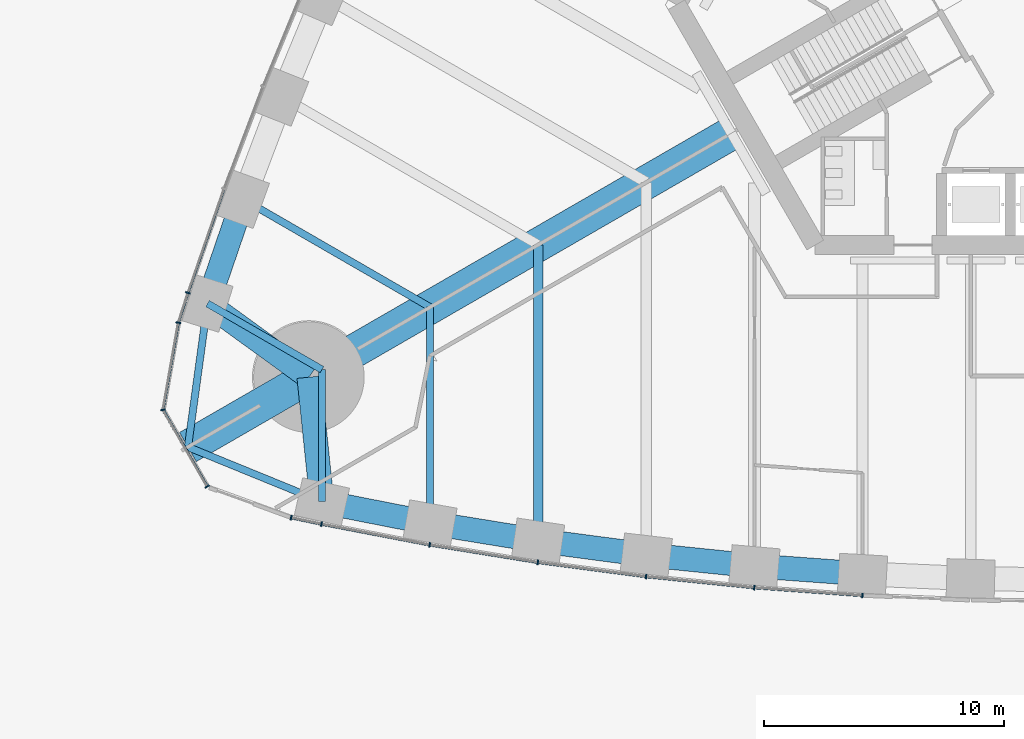
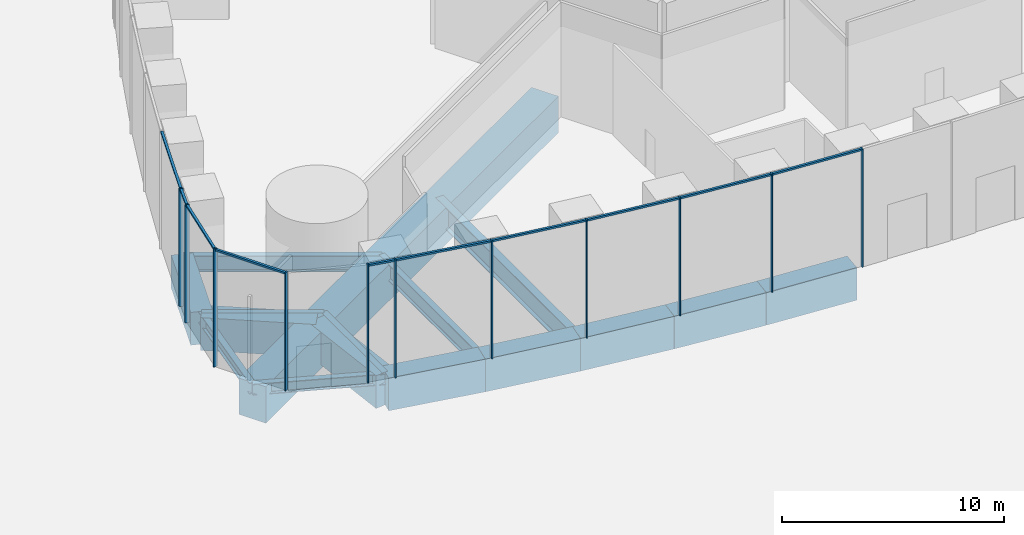
# One storey, part 2 of 43: 21 members, 17 beams, 3 elements without a shape of their own.
"""IFC4 building model written with IfcOpenShell, lengths in metres."""

from ifc_helpers import new_model, si_unit, direction, frame, origin, origin_2d, place, context, subcontext, project, spatial, rectangle, i_section, extrude, material, material_profile, profile_set, type_object, element, aggregate, save


model = new_model("IFC4")

# Units and contexts
model_context = context("Model", 3, precision=1e-05, world=origin(), true_north=direction((0.0, 1.0)))
body_context = subcontext(model_context, "Body", "Model", "MODEL_VIEW")
ifc_project = project(units=[si_unit("LENGTHUNIT", "METRE"), si_unit("AREAUNIT", "SQUARE_METRE"), si_unit("VOLUMEUNIT", "CUBIC_METRE"), si_unit("PLANEANGLEUNIT", "RADIAN"), si_unit("MASSUNIT", "GRAM", prefix="KILO")], contexts=[model_context])

# Site, building, storey
site_placement = place(None, origin())
site = spatial("IfcSite", under=ifc_project, at=site_placement, CompositionType="ELEMENT")
building_placement = place(site_placement, origin())
building = spatial("IfcBuilding", under=site, at=building_placement, Name="Trefoil Bronze Tower", CompositionType="ELEMENT")
storey_placement = place(building_placement, origin())
storey = spatial("IfcBuildingStorey", under=building, at=storey_placement, Name="L00", CompositionType="ELEMENT", Elevation=0.0)

# Curtain wall, members
ifc_material_1 = material(Name="Tinted solar-control glass", Category="glass")
curtain_wall_type_1 = type_object("IfcCurtainWallType", Name="Bronze podium storefront curtain wall", PredefinedType="USERDEFINED", material=ifc_material_1)
curtain_wall_1_placement = place(storey_placement, origin())
curtain_wall_1 = element("IfcCurtainWall", 1, at=curtain_wall_1_placement, inside=storey, type_object=curtain_wall_type_1, Name="CW-C L00 F1 run 1", ObjectType="CURTAIN WALL", PredefinedType="USERDEFINED")
ifc_material_2 = material(Name="Bronze-finish aluminium", Category="aluminium")
ifc_material_profile_1 = material_profile(ifc_material_2, rectangle(XDim=0.199951171875, YDim=0.06005859375, at=origin_2d()), Name="CW-C mullion")
ifc_profile_set_1 = profile_set([ifc_material_profile_1], Name="Bronze-finish aluminium")
member_type_1 = type_object("IfcMemberType", Name="Bronze podium storefront curtain wall mullion", PredefinedType="MULLION", material=ifc_profile_set_1)
member_1_placement = place(storey_placement, frame((-32.783203125, -24.346435546875, 0.0), z_axis=(0.0, 0.0, 1.0), x_axis=(0.207180582657, 0.978302717041, 0.0)))
member_1 = element("IfcMember", 2, at=member_1_placement, type_object=member_type_1, Name="CW-C L00 F1 run 1 mullion 1", PredefinedType="MULLION", context=body_context, shape_type="SweptSolid", body=[
    extrude(rectangle(XDim=0.199951171875, YDim=0.06005859375, at=origin_2d()), origin(), (0.0, 0.0, 1.0), 6.47998046875),
])
member_2_placement = place(storey_placement, frame((-31.519775390625, -24.614013671875, 0.0), z_axis=(0.0, 0.0, 1.0), x_axis=(0.197910006829, 0.98022019424, 0.0)))
member_2 = element("IfcMember", 3, at=member_2_placement, type_object=member_type_1, Name="CW-C L00 F1 run 1 mullion 2", PredefinedType="MULLION", context=body_context, shape_type="SweptSolid", body=[
    extrude(rectangle(XDim=0.199951171875, YDim=0.06005859375, at=origin_2d()), origin(), (0.0, 0.0, 1.0), 6.47998046875),
])
member_3_placement = place(storey_placement, frame((-27.017333984375, -25.478759765625, 0.0), z_axis=(0.0, 0.0, 1.0), x_axis=(0.174131146426, 0.984722470468, 0.0)))
member_3 = element("IfcMember", 4, at=member_3_placement, type_object=member_type_1, Name="CW-C L00 F1 run 1 mullion 3", PredefinedType="MULLION", context=body_context, shape_type="SweptSolid", body=[
    extrude(rectangle(XDim=0.199951171875, YDim=0.06005859375, at=origin_2d()), origin(), (0.0, 0.0, 1.0), 6.47998046875),
])
member_4_placement = place(storey_placement, frame((-22.514404296875, -26.206787109375, 0.0), z_axis=(0.0, 0.0, 1.0), x_axis=(0.145108990094, 0.989415676546, 0.0)))
member_4 = element("IfcMember", 5, at=member_4_placement, type_object=member_type_1, Name="CW-C L00 F1 run 1 mullion 4", PredefinedType="MULLION", context=body_context, shape_type="SweptSolid", body=[
    extrude(rectangle(XDim=0.199951171875, YDim=0.06005859375, at=origin_2d()), origin(), (0.0, 0.0, 1.0), 6.47998046875),
])
member_5_placement = place(storey_placement, frame((-18.01171875, -26.800048828125, 0.0), z_axis=(0.0, 0.0, 1.0), x_axis=(0.116086999973, 0.993239048989, 0.0)))
member_5 = element("IfcMember", 6, at=member_5_placement, type_object=member_type_1, Name="CW-C L00 F1 run 1 mullion 5", PredefinedType="MULLION", context=body_context, shape_type="SweptSolid", body=[
    extrude(rectangle(XDim=0.199951171875, YDim=0.06005859375, at=origin_2d()), origin(), (0.0, 0.0, 1.0), 6.47998046875),
])
member_6_placement = place(storey_placement, frame((-13.5087890625, -27.259765625, 0.0), z_axis=(0.0, 0.0, 1.0), x_axis=(0.087065139456, 0.996202620701, 0.0)))
member_6 = element("IfcMember", 7, at=member_6_placement, type_object=member_type_1, Name="CW-C L00 F1 run 1 mullion 6", PredefinedType="MULLION", context=body_context, shape_type="SweptSolid", body=[
    extrude(rectangle(XDim=0.199951171875, YDim=0.06005859375, at=origin_2d()), origin(), (0.0, 0.0, 1.0), 6.47998046875),
])
member_7_placement = place(storey_placement, frame((-9.00732421875, -27.587158203125, 0.0), z_axis=(0.0, 0.0, 1.0), x_axis=(0.072546564177, 0.99736502647, 0.0)))
member_7 = element("IfcMember", 8, at=member_7_placement, type_object=member_type_1, Name="CW-C L00 F1 run 1 mullion 7", PredefinedType="MULLION", context=body_context, shape_type="SweptSolid", body=[
    extrude(rectangle(XDim=0.199951171875, YDim=0.06005859375, at=origin_2d()), origin(), (0.0, 0.0, 1.0), 6.47998046875),
])

# Curtain wall, member
curtain_wall_2_placement = place(storey_placement, origin())
curtain_wall_2 = element("IfcCurtainWall", 9, at=curtain_wall_2_placement, inside=storey, type_object=curtain_wall_type_1, Name="CW-C L00 F3 run 5", ObjectType="CURTAIN WALL", PredefinedType="USERDEFINED")
member_8_placement = place(storey_placement, frame((-37.076416015625, -14.989990234375, 0.0), z_axis=(0.0, 0.0, 1.0), x_axis=(0.947850592929, -0.318715003543, 0.0)))
member_8 = element("IfcMember", 10, at=member_8_placement, type_object=member_type_1, Name="CW-C L00 F3 run 5 mullion 5", PredefinedType="MULLION", context=body_context, shape_type="SweptSolid", body=[
    extrude(rectangle(XDim=0.199951171875, YDim=0.06005859375, at=origin_2d()), origin(), (0.0, 0.0, 1.0), 6.47998046875),
])

# Member
ifc_material_3 = material(Name="Bronze-finish aluminium", Category="aluminium")
ifc_material_profile_2 = material_profile(ifc_material_3, rectangle(XDim=0.1201171875, YDim=0.10009765625, at=origin_2d()), Name="CW-C transom")
ifc_profile_set_2 = profile_set([ifc_material_profile_2], Name="Bronze-finish aluminium")
member_type_2 = type_object("IfcMemberType", Name="Bronze podium storefront curtain wall transom", PredefinedType="USERDEFINED", material=ifc_profile_set_2)
member_9_placement = place(storey_placement, frame((-32.753662109375, -24.352783203125, 6.429931640625), z_axis=(0.978304864549, -0.207170441905, 0.0), x_axis=(0.207170441905, 0.978304864549, 0.0)))
member_9 = element("IfcMember", 11, at=member_9_placement, type_object=member_type_2, Name="CW-C L00 F1 run 1 transom 1", ObjectType="TRANSOM", PredefinedType="USERDEFINED", context=body_context, shape_type="SweptSolid", body=[
    extrude(rectangle(XDim=0.1201171875, YDim=0.10009765625, at=origin_2d()), origin(), (0.0, 0.0, 1.0), 1.230224609375),
])

member_10_placement = place(storey_placement, frame((-31.489501953125, -24.619873046875, 6.429931640625), z_axis=(0.982049163512, -0.18862513206, 0.0), x_axis=(0.18862513206, 0.982049163512, 0.0)))
member_10 = element("IfcMember", 12, at=member_10_placement, type_object=member_type_2, Name="CW-C L00 F1 run 1 transom 2", ObjectType="TRANSOM", PredefinedType="USERDEFINED", context=body_context, shape_type="SweptSolid", body=[
    extrude(rectangle(XDim=0.1201171875, YDim=0.10009765625, at=origin_2d()), origin(), (0.0, 0.0, 1.0), 4.5224609375),
])

member_11_placement = place(storey_placement, frame((-26.986328125, -25.48388671875, 6.429931640625), z_axis=(0.987178845657, -0.159618065043, 0.0), x_axis=(0.159618065043, 0.987178845657, 0.0)))
member_11 = element("IfcMember", 13, at=member_11_placement, type_object=member_type_2, Name="CW-C L00 F1 run 1 transom 3", ObjectType="TRANSOM", PredefinedType="USERDEFINED", context=body_context, shape_type="SweptSolid", body=[
    extrude(rectangle(XDim=0.1201171875, YDim=0.10009765625, at=origin_2d()), origin(), (0.0, 0.0, 1.0), 4.498291015625),
])

member_12_placement = place(storey_placement, frame((-22.4833984375, -26.2109375, 6.429931640625), z_axis=(0.991435175775, -0.130599740566, 0.0), x_axis=(0.130599740566, 0.991435175775, 0.0)))
member_12 = element("IfcMember", 14, at=member_12_placement, type_object=member_type_2, Name="CW-C L00 F1 run 1 transom 4", ObjectType="TRANSOM", PredefinedType="USERDEFINED", context=body_context, shape_type="SweptSolid", body=[
    extrude(rectangle(XDim=0.1201171875, YDim=0.10009765625, at=origin_2d()), origin(), (0.0, 0.0, 1.0), 4.47900390625),
])

member_13_placement = place(storey_placement, frame((-17.980224609375, -26.80322265625, 6.429931640625), z_axis=(0.994833127844, -0.101523631455, 0.0), x_axis=(0.101523631455, 0.994833127844, 0.0)))
member_13 = element("IfcMember", 15, at=member_13_placement, type_object=member_type_2, Name="CW-C L00 F1 run 1 transom 5", ObjectType="TRANSOM", PredefinedType="USERDEFINED", context=body_context, shape_type="SweptSolid", body=[
    extrude(rectangle(XDim=0.1201171875, YDim=0.10009765625, at=origin_2d()), origin(), (0.0, 0.0, 1.0), 4.463134765625),
])

member_14_placement = place(storey_placement, frame((-13.477294921875, -27.261962890625, 6.429931640625), z_axis=(0.997364590548, -0.072552556953, 0.0), x_axis=(0.072552556953, 0.997364590548, 0.0)))
member_14 = element("IfcMember", 16, at=member_14_placement, type_object=member_type_2, Name="CW-C L00 F1 run 1 transom 6", ObjectType="TRANSOM", PredefinedType="USERDEFINED", context=body_context, shape_type="SweptSolid", body=[
    extrude(rectangle(XDim=0.1201171875, YDim=0.10009765625, at=origin_2d()), origin(), (0.0, 0.0, 1.0), 4.451904296875),
])

aggregate(curtain_wall_1, [member_1, member_2, member_3, member_4, member_5, member_6, member_7, member_9, member_10, member_11, member_12, member_13, member_14])

member_15_placement = place(storey_placement, frame((-35.58447265625, -10.68798828125, 6.429931640625), z_axis=(-0.327638958875, -0.944803002021, 0.0), x_axis=(0.944803002021, -0.327638958875, 0.0)))
member_15 = element("IfcMember", 17, at=member_15_placement, type_object=member_type_2, Name="CW-C L00 F3 run 5 transom 4", ObjectType="TRANSOM", PredefinedType="USERDEFINED", context=body_context, shape_type="SweptSolid", body=[
    extrude(rectangle(XDim=0.1201171875, YDim=0.10009765625, at=origin_2d()), origin(), (0.0, 0.0, 1.0), 4.522216796875),
])

member_16_placement = place(storey_placement, frame((-37.0859375, -15.019287109375, 6.429931640625), z_axis=(-0.309732068556, -0.950823877334, 0.0), x_axis=(0.950823877334, -0.309732068556, 0.0)))
member_16 = element("IfcMember", 18, at=member_16_placement, type_object=member_type_2, Name="CW-C L00 F3 run 5 transom 5", ObjectType="TRANSOM", PredefinedType="USERDEFINED", context=body_context, shape_type="SweptSolid", body=[
    extrude(rectangle(XDim=0.1201171875, YDim=0.10009765625, at=origin_2d()), origin(), (0.0, 0.0, 1.0), 1.23046875),
])

aggregate(curtain_wall_2, [member_8, member_15, member_16])

# Curtain wall, members
ifc_material_4 = material(Name="Tinted solar-control glass", Category="glass")
curtain_wall_type_2 = type_object("IfcCurtainWallType", Name="Bronze rounded corner curtain wall", PredefinedType="USERDEFINED", material=ifc_material_4)
curtain_wall_3_placement = place(storey_placement, origin())
curtain_wall_3 = element("IfcCurtainWall", 19, at=curtain_wall_3_placement, inside=storey, type_object=curtain_wall_type_2, Name="CW-B L00 K3 run 1", ObjectType="CURTAIN WALL", PredefinedType="USERDEFINED")
ifc_material_5 = material(Name="Bronze-finish aluminium", Category="aluminium")
ifc_material_profile_3 = material_profile(ifc_material_5, rectangle(XDim=0.199951171875, YDim=0.06005859375, at=origin_2d()), Name="CW-B mullion")
ifc_profile_set_3 = profile_set([ifc_material_profile_3], Name="Bronze-finish aluminium")
member_type_3 = type_object("IfcMemberType", Name="Bronze rounded corner curtain wall mullion", PredefinedType="MULLION", material=ifc_profile_set_3)
member_17_placement = place(storey_placement, frame((-37.479736328125, -16.2314453125, 0.0), z_axis=(0.0, 0.0, 1.0), x_axis=(0.984807753012, -0.173648177667, 0.0)))
member_17 = element("IfcMember", 20, at=member_17_placement, type_object=member_type_3, Name="CW-B L00 K3 run 1 mullion 1", PredefinedType="MULLION", context=body_context, shape_type="SweptSolid", body=[
    extrude(rectangle(XDim=0.199951171875, YDim=0.06005859375, at=origin_2d()), origin(), (0.0, 0.0, 1.0), 6.47998046875),
])
member_18_placement = place(storey_placement, frame((-38.11328125, -19.85888671875, 0.0), z_axis=(0.0, 0.0, 1.0), x_axis=(0.984807753012, 0.173648177667, 0.0)))
member_18 = element("IfcMember", 21, at=member_18_placement, type_object=member_type_3, Name="CW-B L00 K3 run 1 mullion 2", PredefinedType="MULLION", context=body_context, shape_type="SweptSolid", body=[
    extrude(rectangle(XDim=0.199951171875, YDim=0.06005859375, at=origin_2d()), origin(), (0.0, 0.0, 1.0), 6.47998046875),
])
member_19_placement = place(storey_placement, frame((-36.277099609375, -23.051025390625, 0.0), z_axis=(0.0, 0.0, 1.0), x_axis=(0.866025403784, 0.5, 0.0)))
member_19 = element("IfcMember", 22, at=member_19_placement, type_object=member_type_3, Name="CW-B L00 K3 run 1 mullion 3", PredefinedType="MULLION", context=body_context, shape_type="SweptSolid", body=[
    extrude(rectangle(XDim=0.199951171875, YDim=0.06005859375, at=origin_2d()), origin(), (0.0, 0.0, 1.0), 6.47998046875),
])
ifc_material_6 = material(Name="Bronze-finish aluminium", Category="aluminium")
ifc_material_profile_4 = material_profile(ifc_material_6, rectangle(XDim=0.1201171875, YDim=0.10009765625, at=origin_2d()), Name="CW-B transom")
ifc_profile_set_4 = profile_set([ifc_material_profile_4], Name="Bronze-finish aluminium")
member_type_4 = type_object("IfcMemberType", Name="Bronze rounded corner curtain wall transom", PredefinedType="USERDEFINED", material=ifc_profile_set_4)
member_20_placement = place(storey_placement, frame((-37.48486328125, -16.260986328125, 6.429931640625), z_axis=(-0.17363783606, -0.984809576461, 0.0), x_axis=(0.984809576461, -0.17363783606, 0.0)))
member_20 = element("IfcMember", 23, at=member_20_placement, type_object=member_type_4, Name="CW-B L00 K3 run 1 transom 1", ObjectType="TRANSOM", PredefinedType="USERDEFINED", context=body_context, shape_type="SweptSolid", body=[
    extrude(rectangle(XDim=0.1201171875, YDim=0.10009765625, at=origin_2d()), origin(), (0.0, 0.0, 1.0), 3.588134765625),
])
member_21_placement = place(storey_placement, frame((-38.08642578125, -19.91748046875, 6.429931640625), z_axis=(0.500024788772, -0.866011091507, 0.0), x_axis=(0.866011091507, 0.500024788772, 0.0)))
member_21 = element("IfcMember", 24, at=member_21_placement, type_object=member_type_4, Name="CW-B L00 K3 run 1 transom 2", ObjectType="TRANSOM", PredefinedType="USERDEFINED", context=body_context, shape_type="SweptSolid", body=[
    extrude(rectangle(XDim=0.1201171875, YDim=0.10009765625, at=origin_2d()), origin(), (0.0, 0.0, 1.0), 3.588134765625),
])
aggregate(curtain_wall_3, [member_17, member_18, member_19, member_20, member_21])

# Beams
ifc_material_7 = material(Name="Concrete B80", Category="concrete")
ifc_material_profile_5 = material_profile(ifc_material_7, rectangle(XDim=1.39990234375, YDim=2.0, at=origin_2d()), Name="RC 1400x2000")
ifc_profile_set_5 = profile_set([ifc_material_profile_5], Name="Concrete B80")
beam_type_1 = type_object("IfcBeamType", Name="Corner cantilever RC 1400x2000", PredefinedType="BEAM", material=ifc_profile_set_5)
beam_1_placement = place(storey_placement, frame((-32.04296875, -18.5, -1.300048828125), z_axis=(-0.866030348588, -0.499991435252, 0.0), x_axis=(0.499991435252, -0.866030348588, 0.0)))
element("IfcBeam", 25, at=beam_1_placement, inside=storey, type_object=beam_type_1, Name="Corner cantilever K3 L00", PredefinedType="BEAM", context=body_context, shape_type="SweptSolid", body=[
    extrude(rectangle(XDim=1.39990234375, YDim=2.0, at=origin_2d()), origin(), (0.0, 0.0, 1.0), 5.81396484375),
])
ifc_material_8 = material(Name="Steel C355", Category="steel")
ifc_material_profile_6 = material_profile(ifc_material_8, i_section(OverallWidth=0.300048828125, OverallDepth=0.60009765625, WebThickness=0.015380859375, FlangeThickness=0.030029296875, FilletRadius=0.027099609375, at=origin_2d()), Name="HEB 600")
ifc_profile_set_6 = profile_set([ifc_material_profile_6], Name="Steel C355")
beam_type_2 = type_object("IfcBeamType", Name="Corner edge beam HEB 600", PredefinedType="BEAM", material=ifc_profile_set_6)
beam_2_placement = place(storey_placement, frame((-31.5, -23.684814453125, -0.60009765625), z_axis=(-0.925786874353, 0.378045848114, 0.0), x_axis=(-0.378045848114, -0.925786874353, 0.0)))
element("IfcBeam", 26, at=beam_2_placement, inside=storey, type_object=beam_type_2, Name="Corner edge beam F1B L00", PredefinedType="BEAM", context=body_context, shape_type="SweptSolid", body=[
    extrude(i_section(OverallWidth=0.300048828125, OverallDepth=0.60009765625, WebThickness=0.015380859375, FlangeThickness=0.030029296875, FilletRadius=0.027099609375, at=origin_2d()), origin(), (0.0, 0.0, 1.0), 6.025390625),
])
beam_3_placement = place(storey_placement, frame((-36.26171875, -15.4375, -0.60009765625), z_axis=(-0.13550196505, -0.990777077585, 0.0), x_axis=(0.990777077585, -0.13550196505, 0.0)))
element("IfcBeam", 27, at=beam_3_placement, inside=storey, type_object=beam_type_2, Name="Corner edge beam F3A L00", PredefinedType="BEAM", context=body_context, shape_type="SweptSolid", body=[
    extrude(i_section(OverallWidth=0.300048828125, OverallDepth=0.60009765625, WebThickness=0.015380859375, FlangeThickness=0.030029296875, FilletRadius=0.027099609375, at=origin_2d()), origin(), (0.0, 0.0, 1.0), 6.025146484375),
])
ifc_material_9 = material(Name="Concrete B80", Category="concrete")
ifc_material_profile_7 = material_profile(ifc_material_9, rectangle(XDim=1.39990234375, YDim=2.0, at=origin_2d()), Name="RC 1400x2000")
ifc_profile_set_7 = profile_set([ifc_material_profile_7], Name="Concrete B80")
beam_type_3 = type_object("IfcBeamType", Name="Corner girder RC 1400x2000", PredefinedType="BEAM", material=ifc_profile_set_7)
beam_4_placement = place(storey_placement, frame((-14.289306640625, -8.25, -1.300048828125), z_axis=(-0.866027127327, -0.499997014724, 0.0), x_axis=(0.499997014724, -0.866027127327, 0.0)))
element("IfcBeam", 28, at=beam_4_placement, inside=storey, type_object=beam_type_3, Name="Corner girder K3 L00", PredefinedType="BEAM", context=body_context, shape_type="SweptSolid", body=[
    extrude(rectangle(XDim=1.39990234375, YDim=2.0, at=origin_2d()), origin(), (0.0, 0.0, 1.0), 20.500244140625),
])
ifc_material_10 = material(Name="Concrete B80", Category="concrete")
ifc_material_profile_8 = material_profile(ifc_material_10, rectangle(XDim=1.0, YDim=1.800048828125, at=origin_2d()), Name="RC 1000x1800")
ifc_profile_set_8 = profile_set([ifc_material_profile_8], Name="Concrete B80")
beam_type_4 = type_object("IfcBeamType", Name="End spandrel beam RC 1000x1800", PredefinedType="SPANDREL", material=ifc_profile_set_8)
for number, where, z_axis, x_axis, name in (
    (29, (-32.04296875, -18.5, -1.199951171875), (0.104153327908, -0.994561252154, 0.0), (0.994561252154, 0.104153327908, 0.0), "Spandrel F1.1 L00"),
    (30, (-36.26171875, -15.4375, -1.199951171875), (0.809254211267, -0.587458612624, 0.0), (0.587458612624, 0.809254211267, 0.0), "Spandrel F3.16 L00"),
):
    element("IfcBeam", number, at=place(storey_placement, frame(where, z_axis=z_axis, x_axis=x_axis)), inside=storey, type_object=beam_type_4, Name=name, PredefinedType="SPANDREL", context=body_context, shape_type="SweptSolid", body=[
        extrude(rectangle(XDim=1.0, YDim=1.800048828125, at=origin_2d()), origin(), (0.0, 0.0, 1.0), 5.213134765625),
    ])
ifc_material_11 = material(Name="Steel C355", Category="steel")
ifc_material_profile_9 = material_profile(ifc_material_11, i_section(OverallWidth=0.300048828125, OverallDepth=0.590087890625, WebThickness=0.012939453125, FlangeThickness=0.02490234375, FilletRadius=0.027099609375, at=origin_2d()), Name="HEA 600")
ifc_profile_set_9 = profile_set([ifc_material_profile_9], Name="Steel C355")
beam_type_5 = type_object("IfcBeamType", Name="Floor beam HEA 600", PredefinedType="BEAM", material=ifc_profile_set_9)
for number, where, z_axis, x_axis, name in (
    (31, (-31.5, -23.684814453125, -0.594970703125), (0.0, 1.0, 0.0), (-1.0, 0.0, 0.0), "Floor beam F1/-7 L00"),
    (32, (-36.26171875, -15.4375, -0.594970703125), (0.866037702141, -0.499978698016, 0.0), (0.499978698016, 0.866037702141, 0.0), "Floor beam F3/+7 L00"),
):
    element("IfcBeam", number, at=place(storey_placement, frame(where, z_axis=z_axis, x_axis=x_axis)), inside=storey, type_object=beam_type_5, Name=name, PredefinedType="BEAM", context=body_context, shape_type="SweptSolid", body=[
        extrude(i_section(OverallWidth=0.300048828125, OverallDepth=0.590087890625, WebThickness=0.012939453125, FlangeThickness=0.02490234375, FilletRadius=0.027099609375, at=origin_2d()), origin(), (0.0, 0.0, 1.0), 5.498291015625),
    ])
ifc_material_12 = material(Name="Steel C355", Category="steel")
ifc_material_profile_10 = material_profile(ifc_material_12, i_section(OverallWidth=0.300048828125, OverallDepth=0.89990234375, WebThickness=0.0185546875, FlangeThickness=0.034912109375, FilletRadius=0.030029296875, at=origin_2d()), Name="HEB 900")
ifc_profile_set_10 = profile_set([ifc_material_profile_10], Name="Steel C355")
beam_type_6 = type_object("IfcBeamType", Name="Floor beam HEB 900", PredefinedType="BEAM", material=ifc_profile_set_10)
for number, where, z_axis, x_axis, name in (
    (33, (-27.0, -24.56787109375, -0.75), (0.0, 1.0, 0.0), (-1.0, 0.0, 0.0), "Floor beam F1/-6 L00"),
    (34, (-34.7763671875, -11.0986328125, -0.75), (0.866022587327, -0.500004878216, 0.0), (0.500004878216, 0.866022587327, 0.0), "Floor beam F3/+6 L00"),
):
    element("IfcBeam", number, at=place(storey_placement, frame(where, z_axis=z_axis, x_axis=x_axis)), inside=storey, type_object=beam_type_6, Name=name, PredefinedType="BEAM", context=body_context, shape_type="SweptSolid", body=[
        extrude(i_section(OverallWidth=0.300048828125, OverallDepth=0.89990234375, WebThickness=0.0185546875, FlangeThickness=0.034912109375, FilletRadius=0.030029296875, at=origin_2d()), origin(), (0.0, 0.0, 1.0), 8.9794921875),
    ])
ifc_material_13 = material(Name="Steel C355", Category="steel")
ifc_material_profile_11 = material_profile(ifc_material_13, i_section(OverallWidth=0.39990234375, OverallDepth=1.199951171875, WebThickness=0.02001953125, FlangeThickness=0.0400390625, FilletRadius=0.010009765625, at=origin_2d()), Name="WPG 1200")
ifc_profile_set_11 = profile_set([ifc_material_profile_11], Name="Steel C355")
beam_type_7 = type_object("IfcBeamType", Name="Floor beam WPG 1200", PredefinedType="BEAM", material=ifc_profile_set_11)
beam_5_placement = place(storey_placement, frame((-22.5, -25.29931640625, -0.89990234375), z_axis=(0.0, 1.0, 0.0), x_axis=(-1.0, 0.0, 0.0)))
element("IfcBeam", 35, at=beam_5_placement, inside=storey, type_object=beam_type_7, Name="Floor beam F1/-5 L00", PredefinedType="BEAM", context=body_context, shape_type="SweptSolid", body=[
    extrude(i_section(OverallWidth=0.39990234375, OverallDepth=1.199951171875, WebThickness=0.02001953125, FlangeThickness=0.0400390625, FilletRadius=0.010009765625, at=origin_2d()), origin(), (0.0, 0.0, 1.0), 12.308837890625),
])
ifc_material_14 = material(Name="Concrete B80", Category="concrete")
ifc_material_profile_12 = material_profile(ifc_material_14, rectangle(XDim=1.0, YDim=1.800048828125, at=origin_2d()), Name="RC 1000x1800")
ifc_profile_set_12 = profile_set([ifc_material_profile_12], Name="Concrete B80")
beam_type_8 = type_object("IfcBeamType", Name="Spandrel beam RC 1000x1800", PredefinedType="SPANDREL", material=ifc_profile_set_12)
beam_6_placement = place(storey_placement, frame((-31.5, -23.684814453125, -1.199951171875), z_axis=(0.981284764092, -0.192562228283, 0.0), x_axis=(0.192562228283, 0.981284764092, 0.0)))
element("IfcBeam", 36, at=beam_6_placement, inside=storey, type_object=beam_type_8, Name="Spandrel F1.2 L00", PredefinedType="SPANDREL", context=body_context, shape_type="SweptSolid", body=[
    extrude(rectangle(XDim=1.0, YDim=1.800048828125, at=origin_2d()), origin(), (0.0, 0.0, 1.0), 4.5859375),
])
beam_7_placement = place(storey_placement, frame((-27.0, -24.56787109375, -1.199951171875), z_axis=(0.987045951254, -0.160437807615, 0.0), x_axis=(0.160437807615, 0.987045951254, 0.0)))
element("IfcBeam", 37, at=beam_7_placement, inside=storey, type_object=beam_type_8, Name="Spandrel F1.3 L00", PredefinedType="SPANDREL", context=body_context, shape_type="SweptSolid", body=[
    extrude(rectangle(XDim=1.0, YDim=1.800048828125, at=origin_2d()), origin(), (0.0, 0.0, 1.0), 4.55908203125),
])
beam_8_placement = place(storey_placement, frame((-22.5, -25.29931640625, -1.199951171875), z_axis=(0.991344474846, -0.131286450906, 0.0), x_axis=(0.131286450906, 0.991344474846, 0.0)))
element("IfcBeam", 38, at=beam_8_placement, inside=storey, type_object=beam_type_8, Name="Spandrel F1.4 L00", PredefinedType="SPANDREL", context=body_context, shape_type="SweptSolid", body=[
    extrude(rectangle(XDim=1.0, YDim=1.800048828125, at=origin_2d()), origin(), (0.0, 0.0, 1.0), 4.539306640625),
])
beam_9_placement = place(storey_placement, frame((-18.0, -25.895263671875, -1.199951171875), z_axis=(0.994778488621, -0.102057623805, 0.0), x_axis=(0.102057623805, 0.994778488621, 0.0)))
element("IfcBeam", 39, at=beam_9_placement, inside=storey, type_object=beam_type_8, Name="Spandrel F1.5 L00", PredefinedType="SPANDREL", context=body_context, shape_type="SweptSolid", body=[
    extrude(rectangle(XDim=1.0, YDim=1.800048828125, at=origin_2d()), origin(), (0.0, 0.0, 1.0), 4.523681640625),
])
beam_10_placement = place(storey_placement, frame((-13.5, -26.35693359375, -1.199951171875), z_axis=(0.997336412354, -0.072938882588, 0.0), x_axis=(0.072938882588, 0.997336412354, 0.0)))
element("IfcBeam", 40, at=beam_10_placement, inside=storey, type_object=beam_type_8, Name="Spandrel F1.6 L00", PredefinedType="SPANDREL", context=body_context, shape_type="SweptSolid", body=[
    extrude(rectangle(XDim=1.0, YDim=1.800048828125, at=origin_2d()), origin(), (0.0, 0.0, 1.0), 4.511962890625),
])
beam_11_placement = place(storey_placement, frame((-34.7763671875, -11.0986328125, -1.199951171875), z_axis=(-0.323883319148, -0.946097032855, 0.0), x_axis=(0.946097032855, -0.323883319148, 0.0)))
element("IfcBeam", 41, at=beam_11_placement, inside=storey, type_object=beam_type_8, Name="Spandrel F3.15 L00", PredefinedType="SPANDREL", context=body_context, shape_type="SweptSolid", body=[
    extrude(rectangle(XDim=1.0, YDim=1.800048828125, at=origin_2d()), origin(), (0.0, 0.0, 1.0), 4.586181640625),
])

save(model, "model.ifc")
